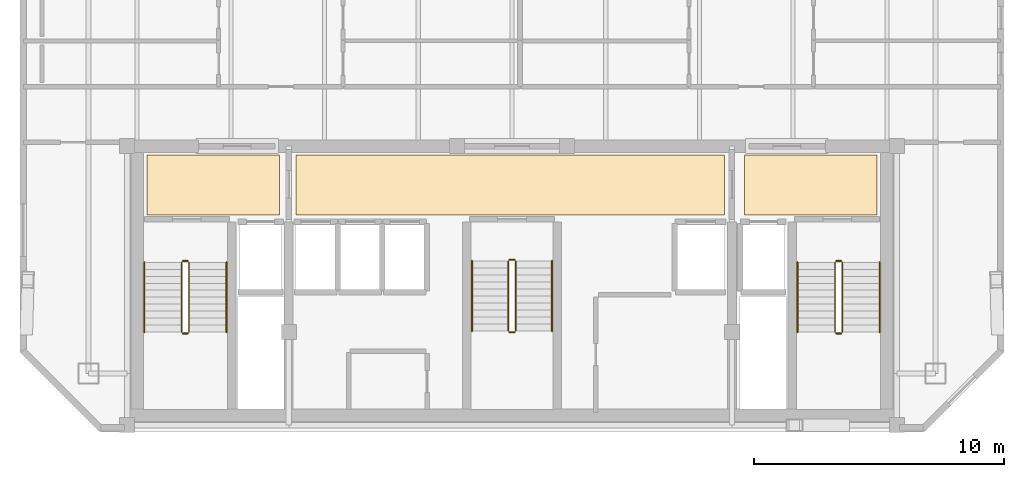
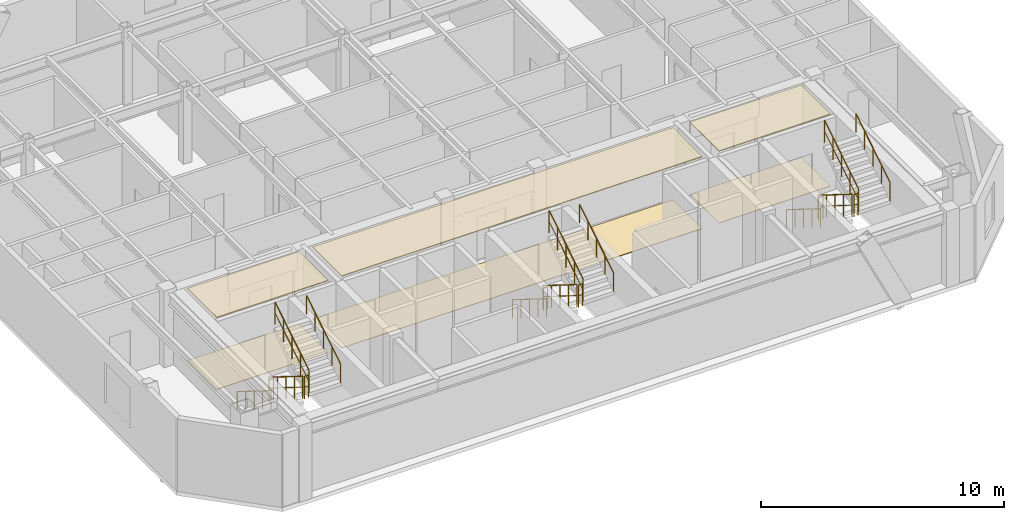
# One storey, part 7 of 7: 18 railings, 6 coverings.
"""IFC4 building model written with IfcOpenShell, lengths in metres."""

from ifc_helpers import new_model, si_unit, direction, frame, origin, origin_2d, place, context, subcontext, project, spatial, polyline, circle, outline, extrude, material, layer, layer_set, type_object, element, save


model = new_model("IFC4")

# Units and contexts
model_context = context("Model", 3, precision=1e-05, world=origin(), true_north=direction((0.0, 1.0)))
body_context = subcontext(model_context, "Body", "Model", "MODEL_VIEW")
ifc_project = project(units=[si_unit("LENGTHUNIT", "METRE"), si_unit("AREAUNIT", "SQUARE_METRE"), si_unit("VOLUMEUNIT", "CUBIC_METRE"), si_unit("PLANEANGLEUNIT", "RADIAN"), si_unit("MASSUNIT", "GRAM", prefix="KILO")], contexts=[model_context])

# Site, building, storey
site_placement = place(None, origin())
site = spatial("IfcSite", under=ifc_project, at=site_placement, CompositionType="ELEMENT")
building_placement = place(site_placement, origin())
building = spatial("IfcBuilding", under=site, at=building_placement, Name="Ventersveld Concourse Tower", CompositionType="ELEMENT")
storey_placement = place(building_placement, frame((0.0, 0.0, 320.75)))
storey = spatial("IfcBuildingStorey", under=building, at=storey_placement, Name="L79", CompositionType="ELEMENT", Elevation=320.75)

# Coverings
ifc_material_1 = material(Name="Mineral-fibre acoustic ceiling tile", Category="gypsum")
ifc_layer_1 = layer(ifc_material_1, 0.0400390625)
ifc_layer_set_1 = layer_set([ifc_layer_1], Name="Mineral-fibre acoustic ceiling tile")
covering_type_1 = type_object("IfcCoveringType", Name="COV-CEIL-ACOUSTIC", PredefinedType="CEILING", material=ifc_layer_set_1)
covering_1_placement = place(storey_placement, frame((0.0, 0.0, 3.610107421875)))
element("IfcCovering", 1, at=covering_1_placement, inside=storey, type_object=covering_type_1, Name="L79 North Lift Lobby Acoustic Ceiling", PredefinedType="CEILING", context=body_context, shape_type="SweptSolid", body=[
    extrude(outline(polyline([(20.10009765625, 8.699951171875), (37.25, 8.699951171875), (37.25, 11.10009765625), (20.10009765625, 11.10009765625), (20.10009765625, 8.699951171875)])), origin(), (0.0, 0.0, 1.0), 0.039794921875),
])
covering_2_placement = place(storey_placement, frame((0.0, 0.0, 3.610107421875)))
element("IfcCovering", 2, at=covering_2_placement, inside=storey, type_object=covering_type_1, Name="L79 West Firefighting Lobby Acoustic Ceiling", PredefinedType="CEILING", context=body_context, shape_type="SweptSolid", body=[
    extrude(outline(polyline([(14.14990234375, 8.699951171875), (19.449951171875, 8.699951171875), (19.449951171875, 11.10009765625), (14.14990234375, 11.10009765625), (14.14990234375, 8.699951171875)])), origin(), (0.0, 0.0, 1.0), 0.039794921875),
])
covering_3_placement = place(storey_placement, frame((0.0, 0.0, 3.610107421875)))
element("IfcCovering", 3, at=covering_3_placement, inside=storey, type_object=covering_type_1, Name="L79 East Firefighting Lobby Acoustic Ceiling", PredefinedType="CEILING", context=body_context, shape_type="SweptSolid", body=[
    extrude(outline(polyline([(38.050048828125, 8.699951171875), (43.35009765625, 8.699951171875), (43.35009765625, 11.10009765625), (38.050048828125, 11.10009765625), (38.050048828125, 8.699951171875)])), origin(), (0.0, 0.0, 1.0), 0.039794921875),
])
ifc_material_2 = material(Name="Polished Highveld granite terrazzo", Category="masonry")
ifc_layer_2 = layer(ifc_material_2, 0.02001953125)
ifc_layer_set_2 = layer_set([ifc_layer_2], Name="Polished Highveld granite terrazzo")
covering_type_2 = type_object("IfcCoveringType", Name="COV-FLOOR-TERRAZZO", PredefinedType="FLOORING", material=ifc_layer_set_2)
covering_4_placement = place(storey_placement, origin())
element("IfcCovering", 4, at=covering_4_placement, inside=storey, type_object=covering_type_2, Name="L79 North Lift Lobby Terrazzo Flooring", PredefinedType="FLOORING", context=body_context, shape_type="SweptSolid", body=[
    extrude(outline(polyline([(20.10009765625, 8.699951171875), (37.25, 8.699951171875), (37.25, 11.10009765625), (20.10009765625, 11.10009765625), (20.10009765625, 8.699951171875)])), origin(), (0.0, 0.0, 1.0), 0.02001953125),
])
covering_5_placement = place(storey_placement, origin())
element("IfcCovering", 5, at=covering_5_placement, inside=storey, type_object=covering_type_2, Name="L79 West Firefighting Lobby Terrazzo Flooring", PredefinedType="FLOORING", context=body_context, shape_type="SweptSolid", body=[
    extrude(outline(polyline([(14.14990234375, 8.699951171875), (19.449951171875, 8.699951171875), (19.449951171875, 11.10009765625), (14.14990234375, 11.10009765625), (14.14990234375, 8.699951171875)])), origin(), (0.0, 0.0, 1.0), 0.02001953125),
])
covering_6_placement = place(storey_placement, origin())
element("IfcCovering", 6, at=covering_6_placement, inside=storey, type_object=covering_type_2, Name="L79 East Firefighting Lobby Terrazzo Flooring", PredefinedType="FLOORING", context=body_context, shape_type="SweptSolid", body=[
    extrude(outline(polyline([(38.050048828125, 8.699951171875), (43.35009765625, 8.699951171875), (43.35009765625, 11.10009765625), (38.050048828125, 11.10009765625), (38.050048828125, 8.699951171875)])), origin(), (0.0, 0.0, 1.0), 0.02001953125),
])

# Railings
ifc_material_3 = material(Name="Brushed stainless steel 316", Category="steel")
railing_type_1 = type_object("IfcRailingType", Name="GD-BAL-115", PredefinedType="GUARDRAIL", material=ifc_material_3)
railing_1_placement = place(storey_placement, frame((15.530029296875, 6.800048828125, 0.175048828125)))
element("IfcRailing", 7, at=railing_1_placement, inside=storey, type_object=railing_type_1, Name="L79 ST-01 stair guard 1", PredefinedType="GUARDRAIL", context=body_context, shape_type="SweptSolid", body=[
    extrude(circle(Radius=0.02392578125, at=origin_2d()), frame((0.0, 0.0, 1.1259765625), z_axis=(0.0, -0.848002457836, 0.529992293815), x_axis=(1.0, 0.0, 0.0)), (0.0, 0.0, 1.0), 3.302001953125),
    extrude(circle(Radius=0.01611328125, at=origin_2d()), frame((0.0, 0.0, 0.574951171875), z_axis=(0.0, -0.848002457836, 0.529992293815), x_axis=(1.0, 0.0, 0.0)), (0.0, 0.0, 1.0), 3.302001953125),
    extrude(circle(Radius=0.02099609375, at=origin_2d()), origin(), (0.0, 0.0, 1.0), 1.101806640625),
    extrude(circle(Radius=0.02099609375, at=origin_2d()), frame((0.0, -0.699951171875, 0.4375)), (0.0, 0.0, 1.0), 1.101806640625),
    extrude(circle(Radius=0.02099609375, at=origin_2d()), frame((0.0, -1.39990234375, 0.875)), (0.0, 0.0, 1.0), 1.101806640625),
    extrude(circle(Radius=0.02099609375, at=origin_2d()), frame((0.0, -2.10009765625, 1.3125)), (0.0, 0.0, 1.0), 1.101806640625),
    extrude(circle(Radius=0.02099609375, at=origin_2d()), frame((0.0, -2.800048828125, 1.75)), (0.0, 0.0, 1.0), 1.101806640625),
])
railing_2_placement = place(storey_placement, frame((15.580078125, 3.949951171875, 1.925048828125)))
element("IfcRailing", 8, at=railing_2_placement, inside=storey, type_object=railing_type_1, Name="L79 ST-01 stair guard 2", PredefinedType="GUARDRAIL", context=body_context, shape_type="SweptSolid", body=[
    extrude(circle(Radius=0.02392578125, at=origin_2d()), frame((0.0, 0.0, 1.1259765625), z_axis=(1.0, 0.0, 0.0), x_axis=(0.0, 1.0, 0.0)), (0.0, 0.0, 1.0), 0.199951171875),
    extrude(circle(Radius=0.01611328125, at=origin_2d()), frame((0.0, 0.0, 0.574951171875), z_axis=(1.0, 0.0, 0.0), x_axis=(0.0, 1.0, 0.0)), (0.0, 0.0, 1.0), 0.199951171875),
    extrude(circle(Radius=0.02099609375, at=origin_2d()), origin(), (0.0, 0.0, 1.0), 1.101806640625),
    extrude(circle(Radius=0.02099609375, at=origin_2d()), frame((0.199951171875, 0.0, 0.0)), (0.0, 0.0, 1.0), 1.101806640625),
])
railing_3_placement = place(storey_placement, frame((15.830078125, 4.0, 2.10009765625)))
element("IfcRailing", 9, at=railing_3_placement, inside=storey, type_object=railing_type_1, Name="L79 ST-01 stair guard 3", PredefinedType="GUARDRAIL", context=body_context, shape_type="SweptSolid", body=[
    extrude(circle(Radius=0.02392578125, at=origin_2d()), frame((0.0, 0.0, 1.1259765625), z_axis=(0.0, 0.848002457836, 0.529992293815), x_axis=(-1.0, 0.0, 0.0)), (0.0, 0.0, 1.0), 3.302001953125),
    extrude(circle(Radius=0.01611328125, at=origin_2d()), frame((0.0, 0.0, 0.574951171875), z_axis=(0.0, 0.848002457836, 0.529992293815), x_axis=(-1.0, 0.0, 0.0)), (0.0, 0.0, 1.0), 3.302001953125),
    extrude(circle(Radius=0.02099609375, at=origin_2d()), origin(), (0.0, 0.0, 1.0), 1.101806640625),
    extrude(circle(Radius=0.02099609375, at=origin_2d()), frame((0.0, 0.699951171875, 0.4375)), (0.0, 0.0, 1.0), 1.101806640625),
    extrude(circle(Radius=0.02099609375, at=origin_2d()), frame((0.0, 1.39990234375, 0.875)), (0.0, 0.0, 1.0), 1.101806640625),
    extrude(circle(Radius=0.02099609375, at=origin_2d()), frame((0.0, 2.10009765625, 1.3125)), (0.0, 0.0, 1.0), 1.101806640625),
    extrude(circle(Radius=0.02099609375, at=origin_2d()), frame((0.0, 2.800048828125, 1.75)), (0.0, 0.0, 1.0), 1.101806640625),
])
railing_4_placement = place(storey_placement, frame((15.580078125, 6.85009765625, 0.0)))
element("IfcRailing", 10, at=railing_4_placement, inside=storey, type_object=railing_type_1, Name="L79 ST-01 stair guard 4", PredefinedType="GUARDRAIL", context=body_context, shape_type="SweptSolid", body=[
    extrude(circle(Radius=0.02392578125, at=origin_2d()), frame((0.0, 0.0, 1.1259765625), z_axis=(1.0, 0.0, 0.0), x_axis=(0.0, 1.0, 0.0)), (0.0, 0.0, 1.0), 0.199951171875),
    extrude(circle(Radius=0.01611328125, at=origin_2d()), frame((0.0, 0.0, 0.574951171875), z_axis=(1.0, 0.0, 0.0), x_axis=(0.0, 1.0, 0.0)), (0.0, 0.0, 1.0), 0.199951171875),
    extrude(circle(Radius=0.02099609375, at=origin_2d()), origin(), (0.0, 0.0, 1.0), 1.101806640625),
    extrude(circle(Radius=0.02099609375, at=origin_2d()), frame((0.199951171875, 0.0, 0.0)), (0.0, 0.0, 1.0), 1.101806640625),
])
railing_5_placement = place(storey_placement, frame((41.669921875, 6.800048828125, 0.175048828125)))
element("IfcRailing", 11, at=railing_5_placement, inside=storey, type_object=railing_type_1, Name="L79 ST-02 stair guard 1", PredefinedType="GUARDRAIL", context=body_context, shape_type="SweptSolid", body=[
    extrude(circle(Radius=0.02392578125, at=origin_2d()), frame((0.0, 0.0, 1.1259765625), z_axis=(0.0, -0.848002457836, 0.529992293815), x_axis=(1.0, 0.0, 0.0)), (0.0, 0.0, 1.0), 3.302001953125),
    extrude(circle(Radius=0.01611328125, at=origin_2d()), frame((0.0, 0.0, 0.574951171875), z_axis=(0.0, -0.848002457836, 0.529992293815), x_axis=(1.0, 0.0, 0.0)), (0.0, 0.0, 1.0), 3.302001953125),
    extrude(circle(Radius=0.02099609375, at=origin_2d()), origin(), (0.0, 0.0, 1.0), 1.101806640625),
    extrude(circle(Radius=0.02099609375, at=origin_2d()), frame((0.0, -0.699951171875, 0.4375)), (0.0, 0.0, 1.0), 1.101806640625),
    extrude(circle(Radius=0.02099609375, at=origin_2d()), frame((0.0, -1.39990234375, 0.875)), (0.0, 0.0, 1.0), 1.101806640625),
    extrude(circle(Radius=0.02099609375, at=origin_2d()), frame((0.0, -2.10009765625, 1.3125)), (0.0, 0.0, 1.0), 1.101806640625),
    extrude(circle(Radius=0.02099609375, at=origin_2d()), frame((0.0, -2.800048828125, 1.75)), (0.0, 0.0, 1.0), 1.101806640625),
])
railing_6_placement = place(storey_placement, frame((41.719970703125, 3.949951171875, 1.925048828125)))
element("IfcRailing", 12, at=railing_6_placement, inside=storey, type_object=railing_type_1, Name="L79 ST-02 stair guard 2", PredefinedType="GUARDRAIL", context=body_context, shape_type="SweptSolid", body=[
    extrude(circle(Radius=0.02392578125, at=origin_2d()), frame((0.0, 0.0, 1.1259765625), z_axis=(1.0, 0.0, 0.0), x_axis=(0.0, 1.0, 0.0)), (0.0, 0.0, 1.0), 0.199951171875),
    extrude(circle(Radius=0.01611328125, at=origin_2d()), frame((0.0, 0.0, 0.574951171875), z_axis=(1.0, 0.0, 0.0), x_axis=(0.0, 1.0, 0.0)), (0.0, 0.0, 1.0), 0.199951171875),
    extrude(circle(Radius=0.02099609375, at=origin_2d()), origin(), (0.0, 0.0, 1.0), 1.101806640625),
    extrude(circle(Radius=0.02099609375, at=origin_2d()), frame((0.199951171875, 0.0, 0.0)), (0.0, 0.0, 1.0), 1.101806640625),
])
railing_7_placement = place(storey_placement, frame((41.969970703125, 4.0, 2.10009765625)))
element("IfcRailing", 13, at=railing_7_placement, inside=storey, type_object=railing_type_1, Name="L79 ST-02 stair guard 3", PredefinedType="GUARDRAIL", context=body_context, shape_type="SweptSolid", body=[
    extrude(circle(Radius=0.02392578125, at=origin_2d()), frame((0.0, 0.0, 1.1259765625), z_axis=(0.0, 0.848002457836, 0.529992293815), x_axis=(-1.0, 0.0, 0.0)), (0.0, 0.0, 1.0), 3.302001953125),
    extrude(circle(Radius=0.01611328125, at=origin_2d()), frame((0.0, 0.0, 0.574951171875), z_axis=(0.0, 0.848002457836, 0.529992293815), x_axis=(-1.0, 0.0, 0.0)), (0.0, 0.0, 1.0), 3.302001953125),
    extrude(circle(Radius=0.02099609375, at=origin_2d()), origin(), (0.0, 0.0, 1.0), 1.101806640625),
    extrude(circle(Radius=0.02099609375, at=origin_2d()), frame((0.0, 0.699951171875, 0.4375)), (0.0, 0.0, 1.0), 1.101806640625),
    extrude(circle(Radius=0.02099609375, at=origin_2d()), frame((0.0, 1.39990234375, 0.875)), (0.0, 0.0, 1.0), 1.101806640625),
    extrude(circle(Radius=0.02099609375, at=origin_2d()), frame((0.0, 2.10009765625, 1.3125)), (0.0, 0.0, 1.0), 1.101806640625),
    extrude(circle(Radius=0.02099609375, at=origin_2d()), frame((0.0, 2.800048828125, 1.75)), (0.0, 0.0, 1.0), 1.101806640625),
])
railing_8_placement = place(storey_placement, frame((41.719970703125, 6.85009765625, 0.0)))
element("IfcRailing", 14, at=railing_8_placement, inside=storey, type_object=railing_type_1, Name="L79 ST-02 stair guard 4", PredefinedType="GUARDRAIL", context=body_context, shape_type="SweptSolid", body=[
    extrude(circle(Radius=0.02392578125, at=origin_2d()), frame((0.0, 0.0, 1.1259765625), z_axis=(1.0, 0.0, 0.0), x_axis=(0.0, 1.0, 0.0)), (0.0, 0.0, 1.0), 0.199951171875),
    extrude(circle(Radius=0.01611328125, at=origin_2d()), frame((0.0, 0.0, 0.574951171875), z_axis=(1.0, 0.0, 0.0), x_axis=(0.0, 1.0, 0.0)), (0.0, 0.0, 1.0), 0.199951171875),
    extrude(circle(Radius=0.02099609375, at=origin_2d()), origin(), (0.0, 0.0, 1.0), 1.101806640625),
    extrude(circle(Radius=0.02099609375, at=origin_2d()), frame((0.199951171875, 0.0, 0.0)), (0.0, 0.0, 1.0), 1.101806640625),
])
railing_9_placement = place(storey_placement, frame((28.60009765625, 6.85009765625, 0.175048828125)))
element("IfcRailing", 15, at=railing_9_placement, inside=storey, type_object=railing_type_1, Name="L79 ST-03 stair guard 1", PredefinedType="GUARDRAIL", context=body_context, shape_type="SweptSolid", body=[
    extrude(circle(Radius=0.02392578125, at=origin_2d()), frame((0.0, 0.0, 1.1259765625), z_axis=(0.0, -0.848002457836, 0.529992293815), x_axis=(1.0, 0.0, 0.0)), (0.0, 0.0, 1.0), 3.302001953125),
    extrude(circle(Radius=0.01611328125, at=origin_2d()), frame((0.0, 0.0, 0.574951171875), z_axis=(0.0, -0.848002457836, 0.529992293815), x_axis=(1.0, 0.0, 0.0)), (0.0, 0.0, 1.0), 3.302001953125),
    extrude(circle(Radius=0.02099609375, at=origin_2d()), origin(), (0.0, 0.0, 1.0), 1.101806640625),
    extrude(circle(Radius=0.02099609375, at=origin_2d()), frame((0.0, -0.699951171875, 0.4375)), (0.0, 0.0, 1.0), 1.101806640625),
    extrude(circle(Radius=0.02099609375, at=origin_2d()), frame((0.0, -1.39990234375, 0.875)), (0.0, 0.0, 1.0), 1.101806640625),
    extrude(circle(Radius=0.02099609375, at=origin_2d()), frame((0.0, -2.10009765625, 1.3125)), (0.0, 0.0, 1.0), 1.101806640625),
    extrude(circle(Radius=0.02099609375, at=origin_2d()), frame((0.0, -2.800048828125, 1.75)), (0.0, 0.0, 1.0), 1.101806640625),
])
railing_10_placement = place(storey_placement, frame((28.64990234375, 4.0, 1.925048828125)))
element("IfcRailing", 16, at=railing_10_placement, inside=storey, type_object=railing_type_1, Name="L79 ST-03 stair guard 2", PredefinedType="GUARDRAIL", context=body_context, shape_type="SweptSolid", body=[
    extrude(circle(Radius=0.02392578125, at=origin_2d()), frame((0.0, 0.0, 1.1259765625), z_axis=(1.0, 0.0, 0.0), x_axis=(0.0, 1.0, 0.0)), (0.0, 0.0, 1.0), 0.2001953125),
    extrude(circle(Radius=0.01611328125, at=origin_2d()), frame((0.0, 0.0, 0.574951171875), z_axis=(1.0, 0.0, 0.0), x_axis=(0.0, 1.0, 0.0)), (0.0, 0.0, 1.0), 0.2001953125),
    extrude(circle(Radius=0.02099609375, at=origin_2d()), origin(), (0.0, 0.0, 1.0), 1.101806640625),
    extrude(circle(Radius=0.02099609375, at=origin_2d()), frame((0.2001953125, 0.0, 0.0)), (0.0, 0.0, 1.0), 1.101806640625),
])
railing_11_placement = place(storey_placement, frame((28.89990234375, 4.050048828125, 2.10009765625)))
element("IfcRailing", 17, at=railing_11_placement, inside=storey, type_object=railing_type_1, Name="L79 ST-03 stair guard 3", PredefinedType="GUARDRAIL", context=body_context, shape_type="SweptSolid", body=[
    extrude(circle(Radius=0.02392578125, at=origin_2d()), frame((0.0, 0.0, 1.1259765625), z_axis=(0.0, 0.848002457836, 0.529992293815), x_axis=(-1.0, 0.0, 0.0)), (0.0, 0.0, 1.0), 3.302001953125),
    extrude(circle(Radius=0.01611328125, at=origin_2d()), frame((0.0, 0.0, 0.574951171875), z_axis=(0.0, 0.848002457836, 0.529992293815), x_axis=(-1.0, 0.0, 0.0)), (0.0, 0.0, 1.0), 3.302001953125),
    extrude(circle(Radius=0.02099609375, at=origin_2d()), origin(), (0.0, 0.0, 1.0), 1.101806640625),
    extrude(circle(Radius=0.02099609375, at=origin_2d()), frame((0.0, 0.699951171875, 0.4375)), (0.0, 0.0, 1.0), 1.101806640625),
    extrude(circle(Radius=0.02099609375, at=origin_2d()), frame((0.0, 1.39990234375, 0.875)), (0.0, 0.0, 1.0), 1.101806640625),
    extrude(circle(Radius=0.02099609375, at=origin_2d()), frame((0.0, 2.10009765625, 1.3125)), (0.0, 0.0, 1.0), 1.101806640625),
    extrude(circle(Radius=0.02099609375, at=origin_2d()), frame((0.0, 2.800048828125, 1.75)), (0.0, 0.0, 1.0), 1.101806640625),
])
railing_12_placement = place(storey_placement, frame((28.64990234375, 6.89990234375, 0.0)))
element("IfcRailing", 18, at=railing_12_placement, inside=storey, type_object=railing_type_1, Name="L79 ST-03 stair guard 4", PredefinedType="GUARDRAIL", context=body_context, shape_type="SweptSolid", body=[
    extrude(circle(Radius=0.02392578125, at=origin_2d()), frame((0.0, 0.0, 1.1259765625), z_axis=(1.0, 0.0, 0.0), x_axis=(0.0, 1.0, 0.0)), (0.0, 0.0, 1.0), 0.2001953125),
    extrude(circle(Radius=0.01611328125, at=origin_2d()), frame((0.0, 0.0, 0.574951171875), z_axis=(1.0, 0.0, 0.0), x_axis=(0.0, 1.0, 0.0)), (0.0, 0.0, 1.0), 0.2001953125),
    extrude(circle(Radius=0.02099609375, at=origin_2d()), origin(), (0.0, 0.0, 1.0), 1.101806640625),
    extrude(circle(Radius=0.02099609375, at=origin_2d()), frame((0.2001953125, 0.0, 0.0)), (0.0, 0.0, 1.0), 1.101806640625),
])
railing_type_2 = type_object("IfcRailingType", Name="HR-RMP-095", PredefinedType="HANDRAIL", material=ifc_material_3)
railing_13_placement = place(storey_placement, frame((14.030029296875, 6.800048828125, 0.175048828125)))
element("IfcRailing", 19, at=railing_13_placement, inside=storey, type_object=railing_type_2, Name="L79 ST-01 stair handrail 1", PredefinedType="HANDRAIL", context=body_context, shape_type="SweptSolid", body=[
    extrude(circle(Radius=0.02392578125, at=origin_2d()), frame((0.0, 0.0, 0.92578125), z_axis=(0.0, -0.848002457836, 0.529992293815), x_axis=(1.0, 0.0, 0.0)), (0.0, 0.0, 1.0), 3.302001953125),
    extrude(circle(Radius=0.02099609375, at=origin_2d()), origin(), (0.0, 0.0, 1.0), 0.90185546875),
    extrude(circle(Radius=0.02099609375, at=origin_2d()), frame((0.0, -0.699951171875, 0.4375)), (0.0, 0.0, 1.0), 0.90185546875),
    extrude(circle(Radius=0.02099609375, at=origin_2d()), frame((0.0, -1.39990234375, 0.875)), (0.0, 0.0, 1.0), 0.90185546875),
    extrude(circle(Radius=0.02099609375, at=origin_2d()), frame((0.0, -2.10009765625, 1.3125)), (0.0, 0.0, 1.0), 0.90185546875),
    extrude(circle(Radius=0.02099609375, at=origin_2d()), frame((0.0, -2.800048828125, 1.75)), (0.0, 0.0, 1.0), 0.90185546875),
])
railing_14_placement = place(storey_placement, frame((17.330078125, 4.0, 2.10009765625)))
element("IfcRailing", 20, at=railing_14_placement, inside=storey, type_object=railing_type_2, Name="L79 ST-01 stair handrail 2", PredefinedType="HANDRAIL", context=body_context, shape_type="SweptSolid", body=[
    extrude(circle(Radius=0.02392578125, at=origin_2d()), frame((0.0, 0.0, 0.92578125), z_axis=(0.0, 0.848002457836, 0.529992293815), x_axis=(-1.0, 0.0, 0.0)), (0.0, 0.0, 1.0), 3.302001953125),
    extrude(circle(Radius=0.02099609375, at=origin_2d()), origin(), (0.0, 0.0, 1.0), 0.90185546875),
    extrude(circle(Radius=0.02099609375, at=origin_2d()), frame((0.0, 0.699951171875, 0.4375)), (0.0, 0.0, 1.0), 0.90185546875),
    extrude(circle(Radius=0.02099609375, at=origin_2d()), frame((0.0, 1.39990234375, 0.875)), (0.0, 0.0, 1.0), 0.90185546875),
    extrude(circle(Radius=0.02099609375, at=origin_2d()), frame((0.0, 2.10009765625, 1.3125)), (0.0, 0.0, 1.0), 0.90185546875),
    extrude(circle(Radius=0.02099609375, at=origin_2d()), frame((0.0, 2.800048828125, 1.75)), (0.0, 0.0, 1.0), 0.90185546875),
])
railing_15_placement = place(storey_placement, frame((40.169921875, 6.800048828125, 0.175048828125)))
element("IfcRailing", 21, at=railing_15_placement, inside=storey, type_object=railing_type_2, Name="L79 ST-02 stair handrail 1", PredefinedType="HANDRAIL", context=body_context, shape_type="SweptSolid", body=[
    extrude(circle(Radius=0.02392578125, at=origin_2d()), frame((0.0, 0.0, 0.92578125), z_axis=(0.0, -0.848002457836, 0.529992293815), x_axis=(1.0, 0.0, 0.0)), (0.0, 0.0, 1.0), 3.302001953125),
    extrude(circle(Radius=0.02099609375, at=origin_2d()), origin(), (0.0, 0.0, 1.0), 0.90185546875),
    extrude(circle(Radius=0.02099609375, at=origin_2d()), frame((0.0, -0.699951171875, 0.4375)), (0.0, 0.0, 1.0), 0.90185546875),
    extrude(circle(Radius=0.02099609375, at=origin_2d()), frame((0.0, -1.39990234375, 0.875)), (0.0, 0.0, 1.0), 0.90185546875),
    extrude(circle(Radius=0.02099609375, at=origin_2d()), frame((0.0, -2.10009765625, 1.3125)), (0.0, 0.0, 1.0), 0.90185546875),
    extrude(circle(Radius=0.02099609375, at=origin_2d()), frame((0.0, -2.800048828125, 1.75)), (0.0, 0.0, 1.0), 0.90185546875),
])
railing_16_placement = place(storey_placement, frame((43.469970703125, 4.0, 2.10009765625)))
element("IfcRailing", 22, at=railing_16_placement, inside=storey, type_object=railing_type_2, Name="L79 ST-02 stair handrail 2", PredefinedType="HANDRAIL", context=body_context, shape_type="SweptSolid", body=[
    extrude(circle(Radius=0.02392578125, at=origin_2d()), frame((0.0, 0.0, 0.92578125), z_axis=(0.0, 0.848002457836, 0.529992293815), x_axis=(-1.0, 0.0, 0.0)), (0.0, 0.0, 1.0), 3.302001953125),
    extrude(circle(Radius=0.02099609375, at=origin_2d()), origin(), (0.0, 0.0, 1.0), 0.90185546875),
    extrude(circle(Radius=0.02099609375, at=origin_2d()), frame((0.0, 0.699951171875, 0.4375)), (0.0, 0.0, 1.0), 0.90185546875),
    extrude(circle(Radius=0.02099609375, at=origin_2d()), frame((0.0, 1.39990234375, 0.875)), (0.0, 0.0, 1.0), 0.90185546875),
    extrude(circle(Radius=0.02099609375, at=origin_2d()), frame((0.0, 2.10009765625, 1.3125)), (0.0, 0.0, 1.0), 0.90185546875),
    extrude(circle(Radius=0.02099609375, at=origin_2d()), frame((0.0, 2.800048828125, 1.75)), (0.0, 0.0, 1.0), 0.90185546875),
])
railing_17_placement = place(storey_placement, frame((27.14990234375, 6.85009765625, 0.175048828125)))
element("IfcRailing", 23, at=railing_17_placement, inside=storey, type_object=railing_type_2, Name="L79 ST-03 stair handrail 1", PredefinedType="HANDRAIL", context=body_context, shape_type="SweptSolid", body=[
    extrude(circle(Radius=0.02392578125, at=origin_2d()), frame((0.0, 0.0, 0.92578125), z_axis=(0.0, -0.848002457836, 0.529992293815), x_axis=(1.0, 0.0, 0.0)), (0.0, 0.0, 1.0), 3.302001953125),
    extrude(circle(Radius=0.02099609375, at=origin_2d()), origin(), (0.0, 0.0, 1.0), 0.90185546875),
    extrude(circle(Radius=0.02099609375, at=origin_2d()), frame((0.0, -0.699951171875, 0.4375)), (0.0, 0.0, 1.0), 0.90185546875),
    extrude(circle(Radius=0.02099609375, at=origin_2d()), frame((0.0, -1.39990234375, 0.875)), (0.0, 0.0, 1.0), 0.90185546875),
    extrude(circle(Radius=0.02099609375, at=origin_2d()), frame((0.0, -2.10009765625, 1.3125)), (0.0, 0.0, 1.0), 0.90185546875),
    extrude(circle(Radius=0.02099609375, at=origin_2d()), frame((0.0, -2.800048828125, 1.75)), (0.0, 0.0, 1.0), 0.90185546875),
])
railing_18_placement = place(storey_placement, frame((30.35009765625, 4.050048828125, 2.10009765625)))
element("IfcRailing", 24, at=railing_18_placement, inside=storey, type_object=railing_type_2, Name="L79 ST-03 stair handrail 2", PredefinedType="HANDRAIL", context=body_context, shape_type="SweptSolid", body=[
    extrude(circle(Radius=0.02392578125, at=origin_2d()), frame((0.0, 0.0, 0.92578125), z_axis=(0.0, 0.848002457836, 0.529992293815), x_axis=(-1.0, 0.0, 0.0)), (0.0, 0.0, 1.0), 3.302001953125),
    extrude(circle(Radius=0.02099609375, at=origin_2d()), origin(), (0.0, 0.0, 1.0), 0.90185546875),
    extrude(circle(Radius=0.02099609375, at=origin_2d()), frame((0.0, 0.699951171875, 0.4375)), (0.0, 0.0, 1.0), 0.90185546875),
    extrude(circle(Radius=0.02099609375, at=origin_2d()), frame((0.0, 1.39990234375, 0.875)), (0.0, 0.0, 1.0), 0.90185546875),
    extrude(circle(Radius=0.02099609375, at=origin_2d()), frame((0.0, 2.10009765625, 1.3125)), (0.0, 0.0, 1.0), 0.90185546875),
    extrude(circle(Radius=0.02099609375, at=origin_2d()), frame((0.0, 2.800048828125, 1.75)), (0.0, 0.0, 1.0), 0.90185546875),
])

save(model, "model.ifc")
